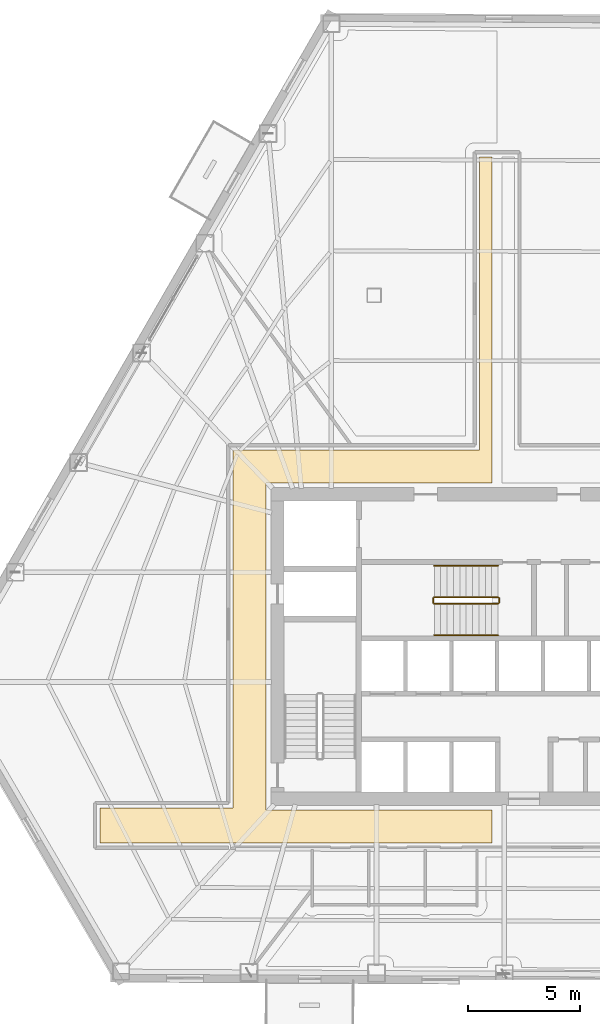
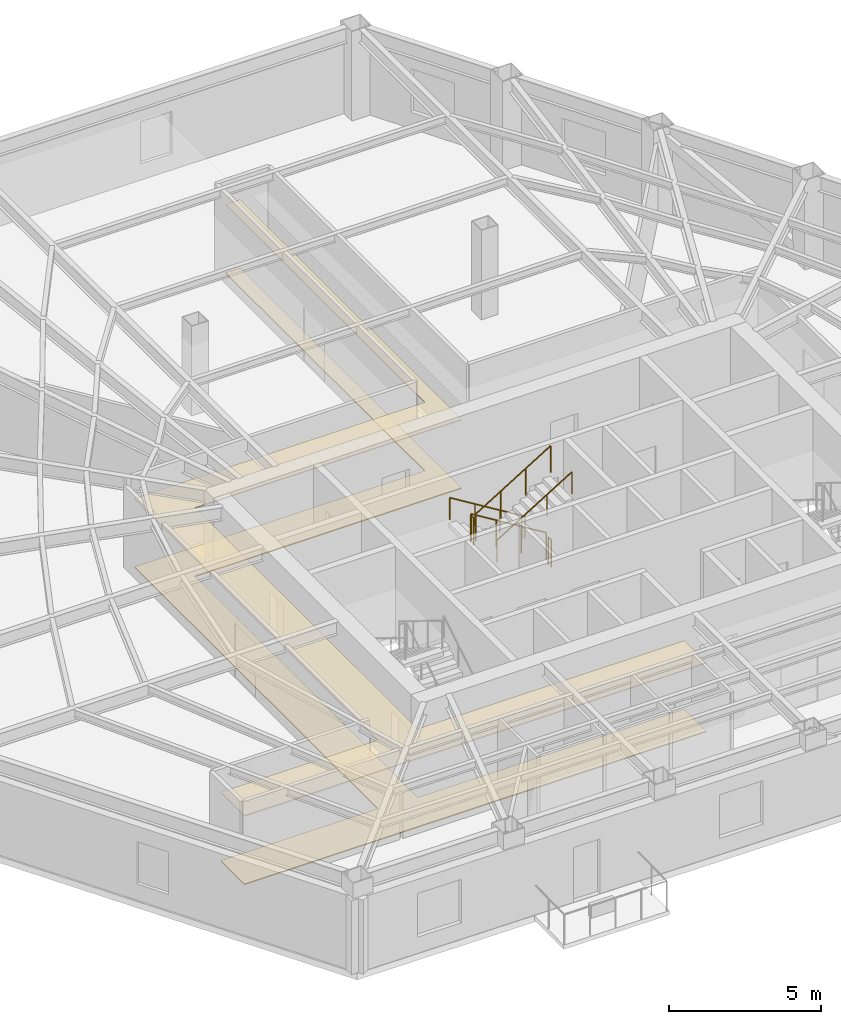
# One storey, part 14 of 16: 6 railings, 2 coverings.
"""IFC4 building model written with IfcOpenShell, lengths in metres."""

from ifc_helpers import new_model, si_unit, direction, frame, origin, origin_2d, place, context, subcontext, project, spatial, polyline, circle, outline, extrude, material, layer, layer_set, type_object, element, save


model = new_model("IFC4")

# Units and contexts
model_context = context("Model", 3, precision=1e-05, world=origin(), true_north=direction((0.0, 1.0)))
body_context = subcontext(model_context, "Body", "Model", "MODEL_VIEW")
ifc_project = project(units=[si_unit("LENGTHUNIT", "METRE"), si_unit("AREAUNIT", "SQUARE_METRE"), si_unit("VOLUMEUNIT", "CUBIC_METRE"), si_unit("PLANEANGLEUNIT", "RADIAN"), si_unit("MASSUNIT", "GRAM", prefix="KILO")], contexts=[model_context])

# Site, building, storey
site_placement = place(None, origin())
site = spatial("IfcSite", under=ifc_project, at=site_placement, CompositionType="ELEMENT")
building_placement = place(site_placement, origin())
building = spatial("IfcBuilding", under=site, at=building_placement, Name="Kavelnor Concourse Tower", CompositionType="ELEMENT")
storey_placement = place(building_placement, frame((0.0, 0.0, 48.35009765625)))
storey = spatial("IfcBuildingStorey", under=building, at=storey_placement, Name="L12", CompositionType="ELEMENT", Elevation=48.35009765625)

# Coverings
ifc_material_1 = material(Name="Mineral fibre acoustic ceiling tile")
ifc_layer_1 = layer(ifc_material_1, 0.0400390625, Name="Mineral fibre acoustic ceiling tile")
ifc_layer_set_1 = layer_set([ifc_layer_1], Name="Mineral fibre acoustic ceiling tile")
covering_type_1 = type_object("IfcCoveringType", Name="COV-CEILING-ACOUSTIC", PredefinedType="CEILING", material=ifc_layer_set_1)
covering_1_placement = place(storey_placement, frame((0.0, 0.0, 2.75)))
element("IfcCovering", 1, at=covering_1_placement, inside=storey, type_object=covering_type_1, Name="L12 Suspended Acoustic Ceiling", PredefinedType="CEILING", context=body_context, shape_type="SweptSolid", body=[
    extrude(outline(polyline([(37.219970703125, 37.97998046875), (37.77490234375, 37.97998046875), (37.77490234375, 23.419921875), (27.659912109375, 23.419921875), (27.659912109375, 8.780029296875), (37.77490234375, 8.780029296875), (37.77490234375, 7.320068359375), (20.24072265625, 7.320068359375), (20.24072265625, 8.8798828125), (26.199951171875, 8.8798828125), (26.199951171875, 24.8798828125), (37.219970703125, 24.8798828125), (37.219970703125, 37.97998046875)])), origin(), (0.0, 0.0, 1.0), 0.039794921875),
])
ifc_material_2 = material(Name="Honed bluestone and raised access floor finish", Category="masonry")
ifc_layer_2 = layer(ifc_material_2, 0.0400390625, Name="Honed bluestone and raised access floor finish")
ifc_layer_set_2 = layer_set([ifc_layer_2], Name="Honed bluestone and raised access floor finish")
covering_type_2 = type_object("IfcCoveringType", Name="COV-FLOOR-STONE", PredefinedType="FLOORING", material=ifc_layer_set_2)
covering_2_placement = place(storey_placement, frame((0.0, 0.0, 0.001953125)))
element("IfcCovering", 2, at=covering_2_placement, inside=storey, type_object=covering_type_2, Name="L12 Honed Bluestone Floor Finish", PredefinedType="FLOORING", context=body_context, shape_type="SweptSolid", body=[
    extrude(outline(polyline([(37.219970703125, 37.97998046875), (37.77490234375, 37.97998046875), (37.77490234375, 23.419921875), (27.659912109375, 23.419921875), (27.659912109375, 8.780029296875), (37.77490234375, 8.780029296875), (37.77490234375, 7.320068359375), (20.24072265625, 7.320068359375), (20.24072265625, 8.8798828125), (26.199951171875, 8.8798828125), (26.199951171875, 24.8798828125), (37.219970703125, 24.8798828125), (37.219970703125, 37.97998046875)])), origin(), (0.0, 0.0, 1.0), 0.0400390625),
])

# Railings
ifc_material_3 = material(Name="Steel Grade 350", Category="steel")
railing_type_1 = type_object("IfcRailingType", Name="RLG-GUARD-1100", PredefinedType="GUARDRAIL", material=ifc_material_3)
railing_1_placement = place(storey_placement, frame((38.0400390625, 18.31005859375, 0.1748046875)))
element("IfcRailing", 3, at=railing_1_placement, inside=storey, type_object=railing_type_1, Name="L12 ST3 stair guard 1", PredefinedType="GUARDRAIL", context=body_context, shape_type="SweptSolid", body=[
    extrude(circle(Radius=0.02392578125, at=origin_2d()), frame((0.0, 0.0, 1.076171875), z_axis=(-0.852179220489, 0.0, 0.52325001306), x_axis=(0.0, -1.0, 0.0)), (0.0, 0.0, 1.0), 3.344482421875),
    extrude(circle(Radius=0.02099609375, at=origin_2d()), origin(), (0.0, 0.0, 1.0), 1.052001953125),
    extrude(circle(Radius=0.02099609375, at=origin_2d()), frame((-0.949951171875, 0.0, 0.583251953125)), (0.0, 0.0, 1.0), 1.052001953125),
    extrude(circle(Radius=0.02099609375, at=origin_2d()), frame((-1.900146484375, 0.0, 1.166748046875)), (0.0, 0.0, 1.0), 1.052001953125),
    extrude(circle(Radius=0.02099609375, at=origin_2d()), frame((-2.85009765625, 0.0, 1.75)), (0.0, 0.0, 1.0), 1.052001953125),
])
railing_2_placement = place(storey_placement, frame((35.139892578125, 18.260009765625, 1.9248046875)))
element("IfcRailing", 4, at=railing_2_placement, inside=storey, type_object=railing_type_1, Name="L12 ST3 stair guard 2", PredefinedType="GUARDRAIL", context=body_context, shape_type="SweptSolid", body=[
    extrude(circle(Radius=0.02392578125, at=origin_2d()), frame((0.0, 0.0, 1.076171875), z_axis=(0.0, -1.0, 0.0), x_axis=(1.0, 0.0, 0.0)), (0.0, 0.0, 1.0), 0.199951171875),
    extrude(circle(Radius=0.02099609375, at=origin_2d()), origin(), (0.0, 0.0, 1.0), 1.052001953125),
    extrude(circle(Radius=0.02099609375, at=origin_2d()), frame((0.0, -0.199951171875, 0.0)), (0.0, 0.0, 1.0), 1.052001953125),
])
railing_3_placement = place(storey_placement, frame((35.18994140625, 18.010009765625, 2.099853515625)))
element("IfcRailing", 5, at=railing_3_placement, inside=storey, type_object=railing_type_1, Name="L12 ST3 stair guard 3", PredefinedType="GUARDRAIL", context=body_context, shape_type="SweptSolid", body=[
    extrude(circle(Radius=0.02392578125, at=origin_2d()), frame((0.0, 0.0, 1.076171875), z_axis=(0.852179220489, 0.0, 0.52325001306), x_axis=(0.0, 1.0, 0.0)), (0.0, 0.0, 1.0), 3.344482421875),
    extrude(circle(Radius=0.02099609375, at=origin_2d()), origin(), (0.0, 0.0, 1.0), 1.052001953125),
    extrude(circle(Radius=0.02099609375, at=origin_2d()), frame((0.949951171875, 0.0, 0.583251953125)), (0.0, 0.0, 1.0), 1.052001953125),
    extrude(circle(Radius=0.02099609375, at=origin_2d()), frame((1.900146484375, 0.0, 1.166748046875)), (0.0, 0.0, 1.0), 1.052001953125),
    extrude(circle(Radius=0.02099609375, at=origin_2d()), frame((2.85009765625, 0.0, 1.75)), (0.0, 0.0, 1.0), 1.052001953125),
])
railing_4_placement = place(storey_placement, frame((38.090087890625, 18.260009765625, 0.0)))
element("IfcRailing", 6, at=railing_4_placement, inside=storey, type_object=railing_type_1, Name="L12 ST3 stair guard 4", PredefinedType="GUARDRAIL", context=body_context, shape_type="SweptSolid", body=[
    extrude(circle(Radius=0.02392578125, at=origin_2d()), frame((0.0, 0.0, 1.076171875), z_axis=(0.0, -1.0, 0.0), x_axis=(1.0, 0.0, 0.0)), (0.0, 0.0, 1.0), 0.199951171875),
    extrude(circle(Radius=0.02099609375, at=origin_2d()), origin(), (0.0, 0.0, 1.0), 1.052001953125),
    extrude(circle(Radius=0.02099609375, at=origin_2d()), frame((0.0, -0.199951171875, 0.0)), (0.0, 0.0, 1.0), 1.052001953125),
])
railing_type_2 = type_object("IfcRailingType", Name="RLG-HANDRAIL-900", PredefinedType="HANDRAIL", material=ifc_material_3)
railing_5_placement = place(storey_placement, frame((38.0400390625, 19.7099609375, 0.1748046875)))
element("IfcRailing", 7, at=railing_5_placement, inside=storey, type_object=railing_type_2, Name="L12 ST3 stair handrail 1", PredefinedType="HANDRAIL", context=body_context, shape_type="SweptSolid", body=[
    extrude(circle(Radius=0.02392578125, at=origin_2d()), frame((0.0, 0.0, 0.8759765625), z_axis=(-0.852179220489, 0.0, 0.52325001306), x_axis=(0.0, -1.0, 0.0)), (0.0, 0.0, 1.0), 3.344482421875),
    extrude(circle(Radius=0.02099609375, at=origin_2d()), origin(), (0.0, 0.0, 1.0), 0.851806640625),
    extrude(circle(Radius=0.02099609375, at=origin_2d()), frame((-0.949951171875, 0.0, 0.583251953125)), (0.0, 0.0, 1.0), 0.851806640625),
    extrude(circle(Radius=0.02099609375, at=origin_2d()), frame((-1.900146484375, 0.0, 1.166748046875)), (0.0, 0.0, 1.0), 0.851806640625),
    extrude(circle(Radius=0.02099609375, at=origin_2d()), frame((-2.85009765625, 0.0, 1.75)), (0.0, 0.0, 1.0), 0.851806640625),
])
railing_6_placement = place(storey_placement, frame((35.18994140625, 16.610107421875, 2.099853515625)))
element("IfcRailing", 8, at=railing_6_placement, inside=storey, type_object=railing_type_2, Name="L12 ST3 stair handrail 2", PredefinedType="HANDRAIL", context=body_context, shape_type="SweptSolid", body=[
    extrude(circle(Radius=0.02392578125, at=origin_2d()), frame((0.0, 0.0, 0.8759765625), z_axis=(0.852179220489, 0.0, 0.52325001306), x_axis=(0.0, 1.0, 0.0)), (0.0, 0.0, 1.0), 3.344482421875),
    extrude(circle(Radius=0.02099609375, at=origin_2d()), origin(), (0.0, 0.0, 1.0), 0.851806640625),
    extrude(circle(Radius=0.02099609375, at=origin_2d()), frame((0.949951171875, 0.0, 0.583251953125)), (0.0, 0.0, 1.0), 0.851806640625),
    extrude(circle(Radius=0.02099609375, at=origin_2d()), frame((1.900146484375, 0.0, 1.166748046875)), (0.0, 0.0, 1.0), 0.851806640625),
    extrude(circle(Radius=0.02099609375, at=origin_2d()), frame((2.85009765625, 0.0, 1.75)), (0.0, 0.0, 1.0), 0.851806640625),
])

save(model, "model.ifc")
